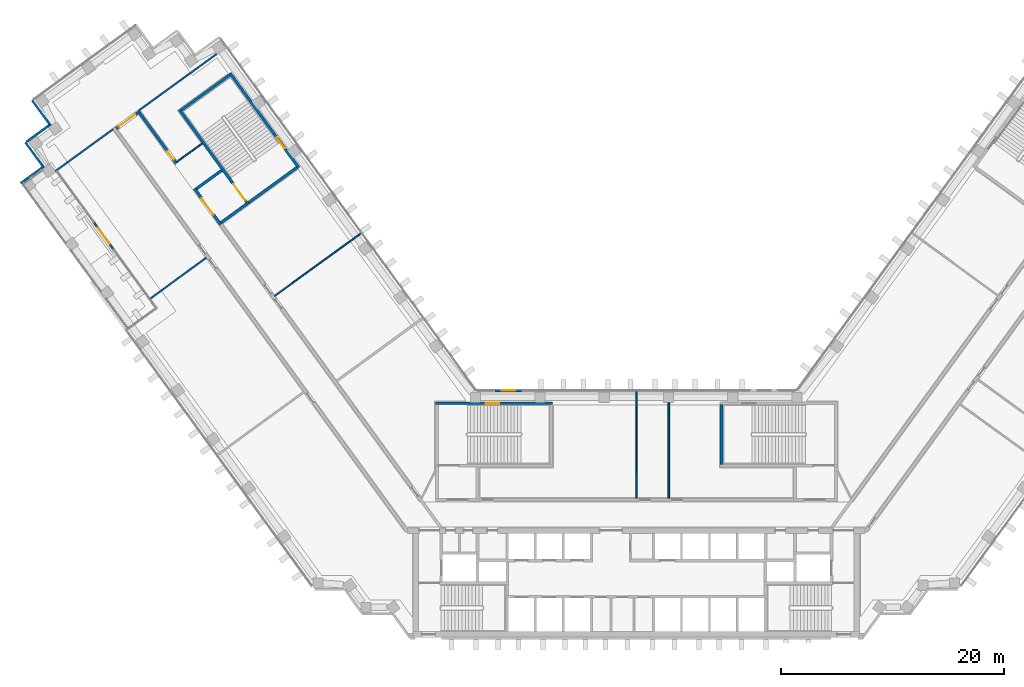
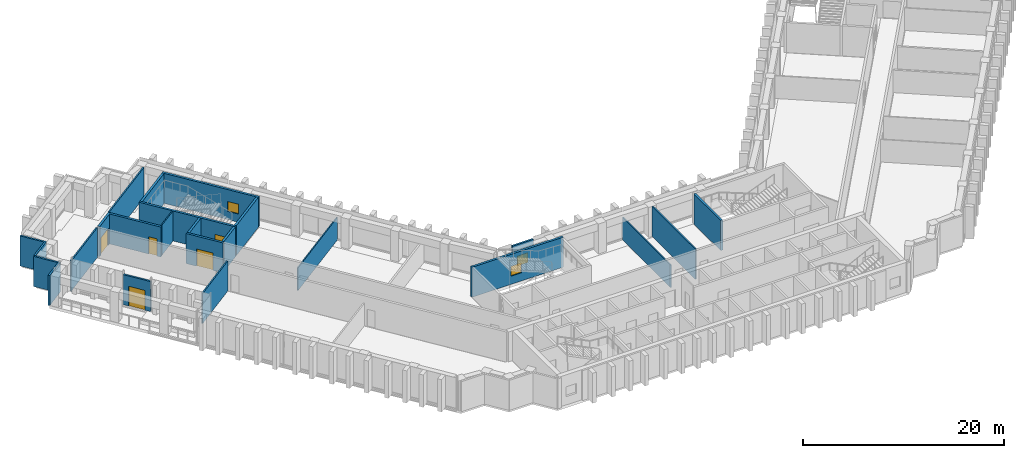
# One storey, part 11 of 17: 24 walls, 5 doors, 3 windows, 8 openings.
"""IFC4 building model written with IfcOpenShell, lengths in metres."""

from ifc_helpers import new_model, si_unit, direction, frame, frame_2d, origin, place, context, subcontext, project, spatial, rectangle, extrude, material, layer, layer_set, type_object, element, fill, save


model = new_model("IFC4")

# Units and contexts
model_context = context("Model", 3, precision=1e-05, world=origin(), true_north=direction((0.0, 1.0)))
body_context = subcontext(model_context, "Body", "Model", "MODEL_VIEW")
ifc_project = project(units=[si_unit("LENGTHUNIT", "METRE"), si_unit("AREAUNIT", "SQUARE_METRE"), si_unit("VOLUMEUNIT", "CUBIC_METRE"), si_unit("PLANEANGLEUNIT", "RADIAN"), si_unit("MASSUNIT", "GRAM", prefix="KILO")], contexts=[model_context])

# Site, building, storey
site_placement = place(None, origin())
site = spatial("IfcSite", under=ifc_project, at=site_placement, CompositionType="ELEMENT")
building_placement = place(site_placement, origin())
building = spatial("IfcBuilding", under=site, at=building_placement, Name="Quipu Civic Tower", CompositionType="ELEMENT")
storey_placement = place(building_placement, frame((0.0, 0.0, 39.0)))
storey = spatial("IfcBuildingStorey", under=building, at=storey_placement, Name="L08", CompositionType="ELEMENT", Elevation=39.0)

# Walls
ifc_material_1 = material(Name="Double gypsum plasterboard with mineral wool")
ifc_layer_1 = layer(ifc_material_1, 0.14990234375)
ifc_layer_set_1 = layer_set([ifc_layer_1], Name="Double gypsum plasterboard with mineral wool")
wall_type_1 = type_object("IfcWallType", Name="Acoustic partition 150 plasterboard", PredefinedType="PARTITIONING", material=ifc_layer_set_1)
wall_1_placement = place(storey_placement, frame((-37.614013671875, 41.2568359375, 0.0), z_axis=(0.0, 0.0, 1.0), x_axis=(-0.808968150799, -0.587852473834, 0.0)))
element("IfcWall", 1, at=wall_1_placement, inside=storey, type_object=wall_type_1, Name="Partition P07", PredefinedType="PARTITIONING", context=body_context, shape_type="SweptSolid", body=[
    extrude(rectangle(XDim=8.55029296875, YDim=0.14990234375, at=frame_2d((4.275146484375, 0.0))), origin(), (0.0, 0.0, 1.0), 3.64990234375),
])
wall_2_placement = place(storey_placement, frame((-46.877197265625, 34.525634765625, 0.0), z_axis=(0.0, 0.0, 1.0), x_axis=(-0.808980373315, -0.587835653556, 0.0)))
element("IfcWall", 2, at=wall_2_placement, inside=storey, type_object=wall_type_1, Name="Partition P10", PredefinedType="PARTITIONING", context=body_context, shape_type="SweptSolid", body=[
    extrude(rectangle(XDim=6.394287109375, YDim=0.14990234375, at=frame_2d((3.197265625, 0.0))), origin(), (0.0, 0.0, 1.0), 3.64990234375),
])
wall_3_placement = place(storey_placement, frame((-43.529296875, 19.35791015625, 0.0), z_axis=(0.0, 0.0, 1.0), x_axis=(0.806712484859, 0.590944131685, 0.0)))
element("IfcWall", 3, at=wall_3_placement, inside=storey, type_object=wall_type_1, Name="Partition P11", PredefinedType="PARTITIONING", context=body_context, shape_type="SweptSolid", body=[
    extrude(rectangle(XDim=6.207275390625, YDim=0.14990234375, at=frame_2d((3.103515625, 0.0))), origin(), (0.0, 0.0, 1.0), 3.64990234375),
])
wall_4_placement = place(storey_placement, frame((2.89892578125, 10.044921875, 0.0), z_axis=(0.0, 0.0, 1.0), x_axis=(0.0, -1.0, 0.0)))
element("IfcWall", 4, at=wall_4_placement, inside=storey, type_object=wall_type_1, Name="Partition P14", PredefinedType="PARTITIONING", context=body_context, shape_type="SweptSolid", body=[
    extrude(rectangle(XDim=8.594970703125, YDim=0.14990234375, at=frame_2d((4.29736328125, 0.0))), origin(), (0.0, 0.0, 1.0), 3.64990234375),
])

# Wall, opening, window
ifc_material_2 = material(Name="Concrete C70/85", Category="concrete")
ifc_layer_2 = layer(ifc_material_2, 0.25)
ifc_layer_set_2 = layer_set([ifc_layer_2], Name="Concrete C70/85")
wall_type_2 = type_object("IfcWallType", Name="Core wall 250", PredefinedType="SHEAR", material=ifc_layer_set_2)
wall_5_placement = place(storey_placement, frame((-18.0, 9.97509765625, 0.0), z_axis=(0.0, 0.0, 1.0), x_axis=(1.0, 0.0, 0.0)))
wall_5 = element("IfcWall", 5, at=wall_5_placement, inside=storey, type_object=wall_type_2, Name="Core wall", PredefinedType="SHEAR", context=body_context, shape_type="SweptSolid", body=[
    extrude(rectangle(XDim=10.5, YDim=0.25, at=frame_2d((5.25, 0.0))), origin(), (0.0, 0.0, 1.0), 3.64990234375),
])
opening_1_placement = place(wall_5_placement, frame((4.5, 0.0, 1.0)))
opening_1 = element("IfcOpeningElement", 6, at=opening_1_placement, cuts=wall_5, Name="Opening SV-3", PredefinedType="OPENING", context=body_context, shape_type="SweptSolid", body=[
    extrude(rectangle(XDim=1.199951171875, YDim=1.199951171875, at=frame_2d((0.60009765625, 0.60009765625))), frame((0.0, 0.135009765625, 0.0), z_axis=(0.0, -1.0, 0.0), x_axis=(1.0, 0.0, 0.0)), (0.0, 0.0, 1.0), 0.27001953125),
])
ifc_material_3 = material(Name="Aluminium louvre", Category="aluminium")
window_type_1 = type_object("IfcWindowType", Name="Stair ventilation louvre 1200 x 1200", PartitioningType="SINGLE_PANEL", PredefinedType="WINDOW", material=ifc_material_3)
window_1_placement = place(opening_1_placement, origin())
window_1 = element("IfcWindow", 7, at=window_1_placement, inside=storey, type_object=window_type_1, Name="Stair ventilation opening", OverallHeight=1.199951171875, OverallWidth=1.199951171875, PartitioningType="SINGLE_PANEL", PredefinedType="WINDOW", context=body_context, shape_type="SweptSolid", body=[
    extrude(rectangle(XDim=1.199951171875, YDim=1.199951171875, at=frame_2d((0.60009765625, 0.60009765625))), frame((0.0, 0.030029296875, 0.0), z_axis=(0.0, -1.0, 0.0), x_axis=(1.0, 0.0, 0.0)), (0.0, 0.0, 1.0), 0.06005859375),
])
fill(opening_1, window_1)

# Wall
wall_6_placement = place(storey_placement, frame((7.625, 4.5, 0.0), z_axis=(0.0, 0.0, 1.0), x_axis=(0.0, 1.0, 0.0)))
element("IfcWall", 8, at=wall_6_placement, inside=storey, type_object=wall_type_2, Name="Core wall", PredefinedType="SHEAR", context=body_context, shape_type="SweptSolid", body=[
    extrude(rectangle(XDim=5.35009765625, YDim=0.25, at=frame_2d((2.675048828125, 0.0))), origin(), (0.0, 0.0, 1.0), 3.64990234375),
])

# Wall, opening, window
wall_7_placement = place(storey_placement, frame((-30.239501953125, 31.06396484375, 0.0), z_axis=(0.0, 0.0, 1.0), x_axis=(-0.587795589702, 0.809009483706, 0.0)))
wall_7 = element("IfcWall", 9, at=wall_7_placement, inside=storey, type_object=wall_type_2, Name="Core wall", PredefinedType="SHEAR", context=body_context, shape_type="SweptSolid", body=[
    extrude(rectangle(XDim=10.5, YDim=0.25, at=frame_2d((5.25, 0.0))), origin(), (0.0, 0.0, 1.0), 3.64990234375),
])
opening_2_placement = place(wall_7_placement, frame((2.14990234375, 0.0, 1.0)))
opening_2 = element("IfcOpeningElement", 10, at=opening_2_placement, cuts=wall_7, Name="Opening SV-6", PredefinedType="OPENING", context=body_context, shape_type="SweptSolid", body=[
    extrude(rectangle(XDim=1.199951171875, YDim=1.199951171875, at=frame_2d((0.60009765625, 0.60009765625))), frame((0.0, 0.135009765625, 0.0), z_axis=(0.0, -1.0, 0.0), x_axis=(1.0, 0.0, 0.0)), (0.0, 0.0, 1.0), 0.27001953125),
])
window_2_placement = place(opening_2_placement, origin())
window_2 = element("IfcWindow", 11, at=window_2_placement, inside=storey, type_object=window_type_1, Name="Stair ventilation opening", OverallHeight=1.199951171875, OverallWidth=1.199951171875, PartitioningType="SINGLE_PANEL", PredefinedType="WINDOW", context=body_context, shape_type="SweptSolid", body=[
    extrude(rectangle(XDim=1.199951171875, YDim=1.199951171875, at=frame_2d((0.60009765625, 0.60009765625))), frame((0.0, 0.030029296875, 0.0), z_axis=(0.0, -1.0, 0.0), x_axis=(1.0, 0.0, 0.0)), (0.0, 0.0, 1.0), 0.06005859375),
])
fill(opening_2, window_2)

# Walls
wall_8_placement = place(storey_placement, frame((-30.414306640625, 31.091796875, 0.0), z_axis=(0.0, 0.0, 1.0), x_axis=(-0.8089984606, -0.587810760999, 0.0)))
element("IfcWall", 12, at=wall_8_placement, inside=storey, type_object=wall_type_2, Name="Core wall", PredefinedType="SHEAR", context=body_context, shape_type="SweptSolid", body=[
    extrude(rectangle(XDim=5.35009765625, YDim=0.25, at=frame_2d((2.675048828125, 0.0))), origin(), (0.0, 0.0, 1.0), 3.64990234375),
])
wall_9_placement = place(storey_placement, frame((-36.43896484375, 39.384033203125, 0.0), z_axis=(0.0, 0.0, 1.0), x_axis=(-0.809020161303, -0.587780893365, 0.0)))
element("IfcWall", 13, at=wall_9_placement, inside=storey, type_object=wall_type_2, Name="Core wall", PredefinedType="SHEAR", context=body_context, shape_type="SweptSolid", body=[
    extrude(rectangle(XDim=5.349853515625, YDim=0.25, at=frame_2d((2.6748046875, 0.0))), origin(), (0.0, 0.0, 1.0), 3.64990234375),
])

# Wall, opening, door
wall_10_placement = place(storey_placement, frame((-40.94189453125, 36.26708984375, 0.0), z_axis=(0.0, 0.0, 1.0), x_axis=(0.587795589702, -0.809009483706, 0.0)))
wall_10 = element("IfcWall", 14, at=wall_10_placement, inside=storey, type_object=wall_type_2, Name="Core wall", PredefinedType="SHEAR", context=body_context, shape_type="SweptSolid", body=[
    extrude(rectangle(XDim=10.5, YDim=0.25, at=frame_2d((5.25, 0.0))), origin(), (0.0, 0.0, 1.0), 3.64990234375),
])
opening_3_placement = place(wall_10_placement, frame((8.25, 0.0, 0.0)))
opening_3 = element("IfcOpeningElement", 15, at=opening_3_placement, cuts=wall_10, Name="Opening CD-19", PredefinedType="OPENING", context=body_context, shape_type="SweptSolid", body=[
    extrude(rectangle(XDim=1.800048828125, YDim=2.10009765625, at=frame_2d((0.89990234375, 1.050048828125))), frame((0.0, 0.135009765625, 0.0), z_axis=(0.0, -1.0, 0.0), x_axis=(1.0, 0.0, 0.0)), (0.0, 0.0, 1.0), 0.27001953125),
])
ifc_material_4 = material(Name="Fire rated steel door", Category="steel")
door_type_1 = type_object("IfcDoorType", Name="Fire door FD90 double 1800 x 2100", OperationType="NOTDEFINED", PredefinedType="DOOR", material=ifc_material_4)
door_1_placement = place(opening_3_placement, origin())
door_1 = element("IfcDoor", 16, at=door_1_placement, inside=storey, type_object=door_type_1, Name="Door", OperationType="DOUBLE_DOOR_SINGLE_SWING", OverallHeight=2.10009765625, OverallWidth=1.800048828125, PredefinedType="DOOR", context=body_context, shape_type="SweptSolid", body=[
    extrude(rectangle(XDim=1.800048828125, YDim=2.10009765625, at=frame_2d((0.89990234375, 1.050048828125))), frame((0.0, 0.02490234375, 0.0), z_axis=(0.0, -1.0, 0.0), x_axis=(1.0, 0.0, 0.0)), (0.0, 0.0, 1.0), 0.050048828125),
])
fill(opening_3, door_1)

# Walls
for number, where, z_axis, x_axis, name in (
    (17, (-34.944580078125, 27.800048828125, 0.0), (0.0, 0.0, 1.0), (-0.809041377956, -0.587751689708, 0.0), "Core wall"),
    (18, (-37.14892578125, 30.833984375, 0.0), (0.0, 0.0, 1.0), (-0.808969789945, -0.58785021813, 0.0), "Core wall"),
):
    element("IfcWall", number, at=place(storey_placement, frame(where, z_axis=z_axis, x_axis=x_axis)), inside=storey, type_object=wall_type_2, Name=name, PredefinedType="SHEAR", context=body_context, shape_type="SweptSolid", body=[
        extrude(rectangle(XDim=2.800048828125, YDim=0.25, at=frame_2d((1.39990234375, 0.0))), origin(), (0.0, 0.0, 1.0), 3.64990234375),
    ])

# Wall, opening, door
wall_11_placement = place(storey_placement, frame((-39.588623046875, 29.2158203125, 0.0), z_axis=(0.0, 0.0, 1.0), x_axis=(0.587772420479, -0.809026317077, 0.0)))
wall_11 = element("IfcWall", 19, at=wall_11_placement, inside=storey, type_object=wall_type_2, Name="Core wall", PredefinedType="SHEAR", context=body_context, shape_type="SweptSolid", body=[
    extrude(rectangle(XDim=4.0, YDim=0.25, at=frame_2d((2.0, 0.0))), origin(), (0.0, 0.0, 1.0), 3.64990234375),
])
opening_4_placement = place(wall_11_placement, frame((1.10009765625, 0.0, 0.0)))
opening_4 = element("IfcOpeningElement", 20, at=opening_4_placement, cuts=wall_11, Name="Opening CD-20", PredefinedType="OPENING", context=body_context, shape_type="SweptSolid", body=[
    extrude(rectangle(XDim=1.800048828125, YDim=2.10009765625, at=frame_2d((0.89990234375, 1.050048828125))), frame((0.0, 0.135009765625, 0.0), z_axis=(0.0, -1.0, 0.0), x_axis=(1.0, 0.0, 0.0)), (0.0, 0.0, 1.0), 0.27001953125),
])
door_2_placement = place(opening_4_placement, origin())
door_2 = element("IfcDoor", 21, at=door_2_placement, inside=storey, type_object=door_type_1, Name="Lobby door", OperationType="DOUBLE_DOOR_SINGLE_SWING", OverallHeight=2.10009765625, OverallWidth=1.800048828125, PredefinedType="DOOR", context=body_context, shape_type="SweptSolid", body=[
    extrude(rectangle(XDim=1.800048828125, YDim=2.10009765625, at=frame_2d((0.89990234375, 1.050048828125))), frame((0.0, 0.02490234375, 0.0), z_axis=(0.0, -1.0, 0.0), x_axis=(1.0, 0.0, 0.0)), (0.0, 0.0, 1.0), 0.050048828125),
])
fill(opening_4, door_2)

ifc_material_5 = material(Name="Concrete C50/60", Category="concrete")
ifc_layer_3 = layer(ifc_material_5, 0.25)
ifc_layer_set_3 = layer_set([ifc_layer_3], Name="Concrete C50/60")
wall_type_3 = type_object("IfcWallType", Name="Corridor wall 250 concrete", PredefinedType="SOLIDWALL", material=ifc_layer_set_3)
wall_12_placement = place(storey_placement, frame((-46.613037109375, 34.587890625, 0.0), z_axis=(0.0, 0.0, 1.0), x_axis=(0.808994936898, 0.587815610607, 0.0)))
wall_12 = element("IfcWall", 22, at=wall_12_placement, inside=storey, type_object=wall_type_3, Name="Corridor wall C02", PredefinedType="SOLIDWALL", context=body_context, shape_type="SweptSolid", body=[
    extrude(rectangle(XDim=2.650146484375, YDim=0.25, at=frame_2d((1.3251953125, 0.0))), origin(), (0.0, 0.0, 1.0), 3.64990234375),
])
opening_5_placement = place(wall_12_placement, frame((0.29931640625, 0.0, 0.0)))
opening_5 = element("IfcOpeningElement", 23, at=opening_5_placement, cuts=wall_12, Name="Opening D020", PredefinedType="OPENING", context=body_context, shape_type="SweptSolid", body=[
    extrude(rectangle(XDim=1.800048828125, YDim=2.10009765625, at=frame_2d((0.89990234375, 1.050048828125))), frame((0.0, 0.135009765625, 0.0), z_axis=(0.0, -1.0, 0.0), x_axis=(1.0, 0.0, 0.0)), (0.0, 0.0, 1.0), 0.27001953125),
])
ifc_material_6 = material(Name="Fire rated timber door set with metal frame", Category="wood")
door_type_2 = type_object("IfcDoorType", Name="Double door 1800 x 2100 FD60", OperationType="DOUBLE_DOOR_SINGLE_SWING", PredefinedType="DOOR", material=ifc_material_6)
door_3_placement = place(opening_5_placement, origin())
door_3 = element("IfcDoor", 24, at=door_3_placement, inside=storey, type_object=door_type_2, Name="Door D020", OperationType="DOUBLE_DOOR_SINGLE_SWING", OverallHeight=2.10009765625, OverallWidth=1.800048828125, PredefinedType="DOOR", context=body_context, shape_type="SweptSolid", body=[
    extrude(rectangle(XDim=1.800048828125, YDim=2.10009765625, at=frame_2d((0.89990234375, 1.050048828125))), frame((0.0, 0.02490234375, 0.0), z_axis=(0.0, -1.0, 0.0), x_axis=(1.0, 0.0, 0.0)), (0.0, 0.0, 1.0), 0.050048828125),
])
fill(opening_5, door_3)

wall_13_placement = place(storey_placement, frame((-44.49658203125, 35.97119140625, 0.0), z_axis=(0.0, 0.0, 1.0), x_axis=(0.587742866856, -0.809047787501, 0.0)))
wall_13 = element("IfcWall", 25, at=wall_13_placement, inside=storey, type_object=wall_type_3, Name="Corridor wall C03", PredefinedType="SOLIDWALL", context=body_context, shape_type="SweptSolid", body=[
    extrude(rectangle(XDim=5.58642578125, YDim=0.25, at=frame_2d((2.793212890625, 0.0))), origin(), (0.0, 0.0, 1.0), 3.64990234375),
])
opening_6_placement = place(wall_13_placement, frame((4.2451171875, 0.0, 0.0)))
opening_6 = element("IfcOpeningElement", 26, at=opening_6_placement, cuts=wall_13, Name="Opening D013", PredefinedType="OPENING", context=body_context, shape_type="SweptSolid", body=[
    extrude(rectangle(XDim=0.89990234375, YDim=2.10009765625, at=frame_2d((0.449951171875, 1.050048828125))), frame((0.0, 0.135009765625, 0.0), z_axis=(0.0, -1.0, 0.0), x_axis=(1.0, 0.0, 0.0)), (0.0, 0.0, 1.0), 0.27001953125),
])
ifc_material_7 = material(Name="Fire rated timber door set with metal frame", Category="wood")
door_type_3 = type_object("IfcDoorType", Name="Single door 900 x 2100 FD60", OperationType="NOTDEFINED", PredefinedType="DOOR", material=ifc_material_7)
door_4_placement = place(opening_6_placement, origin())
door_4 = element("IfcDoor", 27, at=door_4_placement, inside=storey, type_object=door_type_3, Name="Door D013", OperationType="SINGLE_SWING_RIGHT", OverallHeight=2.10009765625, OverallWidth=0.89990234375, PredefinedType="DOOR", context=body_context, shape_type="SweptSolid", body=[
    extrude(rectangle(XDim=0.89990234375, YDim=2.10009765625, at=frame_2d((0.449951171875, 1.050048828125))), frame((0.0, 0.02490234375, 0.0), z_axis=(0.0, -1.0, 0.0), x_axis=(1.0, 0.0, 0.0)), (0.0, 0.0, 1.0), 0.050048828125),
])
fill(opening_6, door_4)

# Walls
ifc_material_8 = material(Name="Gypsum plasterboard on light gauge framing")
ifc_layer_4 = layer(ifc_material_8, 0.1201171875)
ifc_layer_set_4 = layer_set([ifc_layer_4], Name="Gypsum plasterboard on light gauge framing")
wall_type_4 = type_object("IfcWallType", Name="Partition 120 plasterboard", PredefinedType="PARTITIONING", material=ifc_layer_set_4)
wall_14_placement = place(storey_placement, frame((-24.61767578125, 25.24169921875, 0.0), z_axis=(0.0, 0.0, 1.0), x_axis=(-0.809002920164, -0.587804623294, 0.0)))
element("IfcWall", 28, at=wall_14_placement, inside=storey, type_object=wall_type_4, Name="Partition P09", PredefinedType="PARTITIONING", context=body_context, shape_type="SweptSolid", body=[
    extrude(rectangle(XDim=9.65087890625, YDim=0.1201171875, at=frame_2d((4.825439453125, 0.0))), origin(), (0.0, 0.0, 1.0), 2.75),
])
wall_15_placement = place(storey_placement, frame((0.022705078125, 11.0, 0.0), z_axis=(0.0, 0.0, 1.0), x_axis=(-0.002377476217, -0.999997173799, 0.0)))
element("IfcWall", 29, at=wall_15_placement, inside=storey, type_object=wall_type_4, Name="Partition P15", PredefinedType="PARTITIONING", context=body_context, shape_type="SweptSolid", body=[
    extrude(rectangle(XDim=9.550048828125, YDim=0.1201171875, at=frame_2d((4.77490234375, 0.0))), origin(), (0.0, 0.0, 1.0), 2.75),
])
wall_16_placement = place(storey_placement, frame((-41.166015625, 31.59912109375, 0.0), z_axis=(0.0, 0.0, 1.0), x_axis=(0.809090262332, 0.587684394381, 0.0)))
element("IfcWall", 30, at=wall_16_placement, inside=storey, type_object=wall_type_4, Name="Partition P16", PredefinedType="PARTITIONING", context=body_context, shape_type="SweptSolid", body=[
    extrude(rectangle(XDim=2.80078125, YDim=0.1201171875, at=frame_2d((1.400390625, 0.0))), origin(), (0.0, 0.0, 1.0), 3.64990234375),
])

# Wall, opening, window
ifc_material_9 = material(Name="Precast concrete C40/50", Category="concrete")
wall_type_5 = type_object("IfcWallType", Name="Precast cladding wall", PredefinedType="SOLIDWALL", material=ifc_material_9)
wall_17_placement = place(storey_placement, frame((-10.263427734375, 11.10009765625, 0.0), z_axis=(0.0, 0.0, 1.0), x_axis=(-1.0, 0.0, 0.0)))
wall_17 = element("IfcWall", 31, at=wall_17_placement, inside=storey, type_object=wall_type_5, Name="Vent surround SF-L06-1", PredefinedType="SOLIDWALL", context=body_context, shape_type="SweptSolid", body=[
    extrude(rectangle(XDim=2.3916015625, YDim=0.199951171875, at=frame_2d((1.19580078125, 0.0))), origin(), (0.0, 0.0, 1.0), 3.64990234375),
])
opening_7_placement = place(wall_17_placement, frame((0.595703125, 0.0, 1.0)))
opening_7 = element("IfcOpeningElement", 32, at=opening_7_placement, cuts=wall_17, Name="Opening SF-L06-1", PredefinedType="OPENING", context=body_context, shape_type="SweptSolid", body=[
    extrude(rectangle(XDim=1.199951171875, YDim=1.199951171875, at=frame_2d((0.60009765625, 0.60009765625))), frame((0.0, 0.10986328125, 0.0), z_axis=(0.0, -1.0, 0.0), x_axis=(1.0, 0.0, 0.0)), (0.0, 0.0, 1.0), 0.219970703125),
])
ifc_material_10 = material(Name="Anodised aluminium louvre", Category="aluminium")
window_type_2 = type_object("IfcWindowType", Name="Stair vent louvre window P3", PartitioningType="SINGLE_PANEL", PredefinedType="WINDOW", material=ifc_material_10)
window_3_placement = place(opening_7_placement, origin())
window_3 = element("IfcWindow", 33, at=window_3_placement, inside=storey, type_object=window_type_2, Name="Stair vent louvre SF-L06-1", OverallHeight=1.199951171875, OverallWidth=1.199951171875, PartitioningType="SINGLE_PANEL", PredefinedType="WINDOW", context=body_context, shape_type="SweptSolid", body=[
    extrude(rectangle(XDim=1.199951171875, YDim=1.199951171875, at=frame_2d((0.60009765625, 0.60009765625))), frame((0.0, 0.030029296875, 0.0), z_axis=(0.0, -1.0, 0.0), x_axis=(1.0, 0.0, 0.0)), (0.0, 0.0, 1.0), 0.06005859375),
])
fill(opening_7, window_3)

# Walls
for number, where, z_axis, x_axis, name in (
    (34, (-54.140380859375, 37.12255859375, 0.0), (0.0, 0.0, 1.0), (0.587822180636, -0.808990163075, 0.0), "Precast cladding wall L08 P35"),
    (35, (-52.46533203125, 34.9873046875, 0.0), (0.0, 0.0, 1.0), (-0.809033161865, -0.587762999008, 0.0), "Precast cladding wall L08 7"),
):
    element("IfcWall", number, at=place(storey_placement, frame(where, z_axis=z_axis, x_axis=x_axis)), inside=storey, type_object=wall_type_5, Name=name, PredefinedType="SOLIDWALL", context=body_context, shape_type="SweptSolid", body=[
        extrude(rectangle(XDim=2.699951171875, YDim=0.199951171875, at=frame_2d((1.35009765625, 0.0))), origin(), (0.0, 0.0, 1.0), 3.64990234375),
    ])
wall_18_placement = place(storey_placement, frame((-54.73779296875, 33.351318359375, 0.0), z_axis=(0.0, 0.0, 1.0), x_axis=(0.587779184282, -0.809021403008, 0.0)))
element("IfcWall", 36, at=wall_18_placement, inside=storey, type_object=wall_type_5, Name="Precast cladding wall L08 8", PredefinedType="SOLIDWALL", context=body_context, shape_type="SweptSolid", body=[
    extrude(rectangle(XDim=2.7001953125, YDim=0.199951171875, at=frame_2d((1.35009765625, 0.0))), origin(), (0.0, 0.0, 1.0), 3.64990234375),
])
wall_19_placement = place(storey_placement, frame((-53.062744140625, 31.2158203125, 0.0), z_axis=(0.0, 0.0, 1.0), x_axis=(-0.80902431253, -0.587775179585, 0.0)))
element("IfcWall", 37, at=wall_19_placement, inside=storey, type_object=wall_type_5, Name="Precast cladding wall L08 9", PredefinedType="SOLIDWALL", context=body_context, shape_type="SweptSolid", body=[
    extrude(rectangle(XDim=2.599853515625, YDim=0.199951171875, at=frame_2d((1.2998046875, 0.0))), origin(), (0.0, 0.0, 1.0), 3.64990234375),
])

# Wall, opening, door
ifc_material_11 = material(Name="Precast concrete C40/50", Category="concrete")
wall_type_6 = type_object("IfcWallType", Name="Precast door surround", PredefinedType="SOLIDWALL", material=ifc_material_11)
wall_20_placement = place(storey_placement, frame((-46.85888671875, 23.770751953125, 0.0), z_axis=(0.0, 0.0, 1.0), x_axis=(-0.587789508047, 0.809013902371, 0.0)))
wall_20 = element("IfcWall", 38, at=wall_20_placement, inside=storey, type_object=wall_type_6, Name="Door surround ED-L08-1", PredefinedType="SOLIDWALL", context=body_context, shape_type="SweptSolid", body=[
    extrude(rectangle(XDim=2.963134765625, YDim=0.199951171875, at=frame_2d((1.4814453125, 0.0))), origin(), (0.0, 0.0, 1.0), 3.64990234375),
])
opening_8_placement = place(wall_20_placement, frame((0.58154296875, 0.0, 0.0)))
opening_8 = element("IfcOpeningElement", 39, at=opening_8_placement, cuts=wall_20, Name="Opening ED-L08-1", PredefinedType="OPENING", context=body_context, shape_type="SweptSolid", body=[
    extrude(rectangle(XDim=1.800048828125, YDim=2.39990234375, at=frame_2d((0.89990234375, 1.199951171875))), frame((0.0, 0.10986328125, 0.0), z_axis=(0.0, -1.0, 0.0), x_axis=(1.0, 0.0, 0.0)), (0.0, 0.0, 1.0), 0.219970703125),
])
ifc_material_12 = material(Name="Aluminium framed glazed door", Category="aluminium")
door_type_4 = type_object("IfcDoorType", Name="Terrace door E3", OperationType="DOUBLE_DOOR_SINGLE_SWING", PredefinedType="DOOR", material=ifc_material_12)
door_5_placement = place(opening_8_placement, origin())
door_5 = element("IfcDoor", 40, at=door_5_placement, inside=storey, type_object=door_type_4, Name="E3 door ED-L08-1", OperationType="DOUBLE_DOOR_SINGLE_SWING", OverallHeight=2.39990234375, OverallWidth=1.800048828125, PredefinedType="DOOR", context=body_context, shape_type="SweptSolid", body=[
    extrude(rectangle(XDim=1.800048828125, YDim=2.39990234375, at=frame_2d((0.89990234375, 1.199951171875))), frame((0.0, 0.02490234375, 0.0), z_axis=(0.0, -1.0, 0.0), x_axis=(1.0, 0.0, 0.0)), (0.0, 0.0, 1.0), 0.050048828125),
])
fill(opening_8, door_5)

save(model, "model.ifc")
